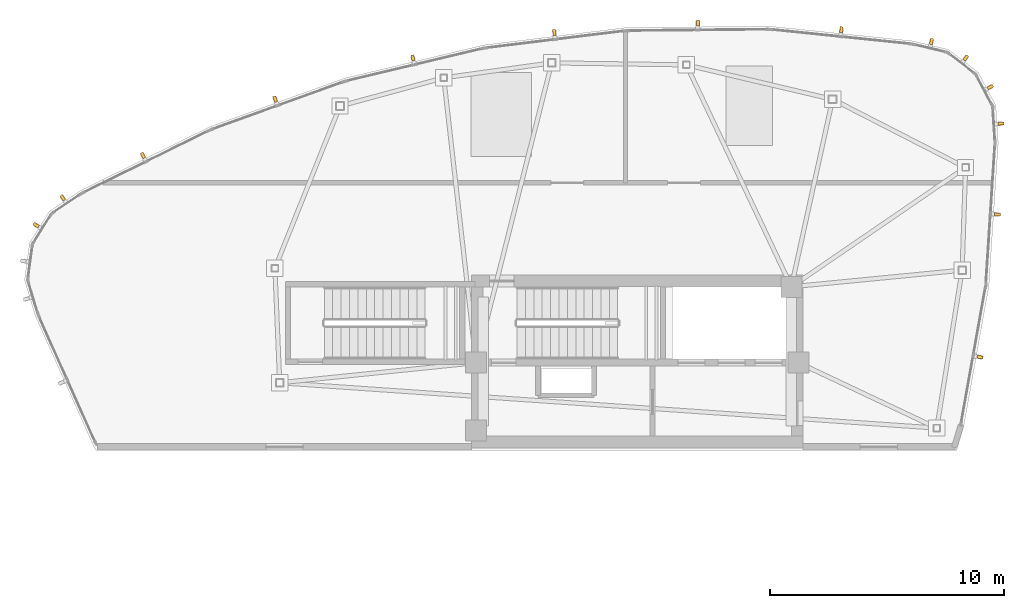
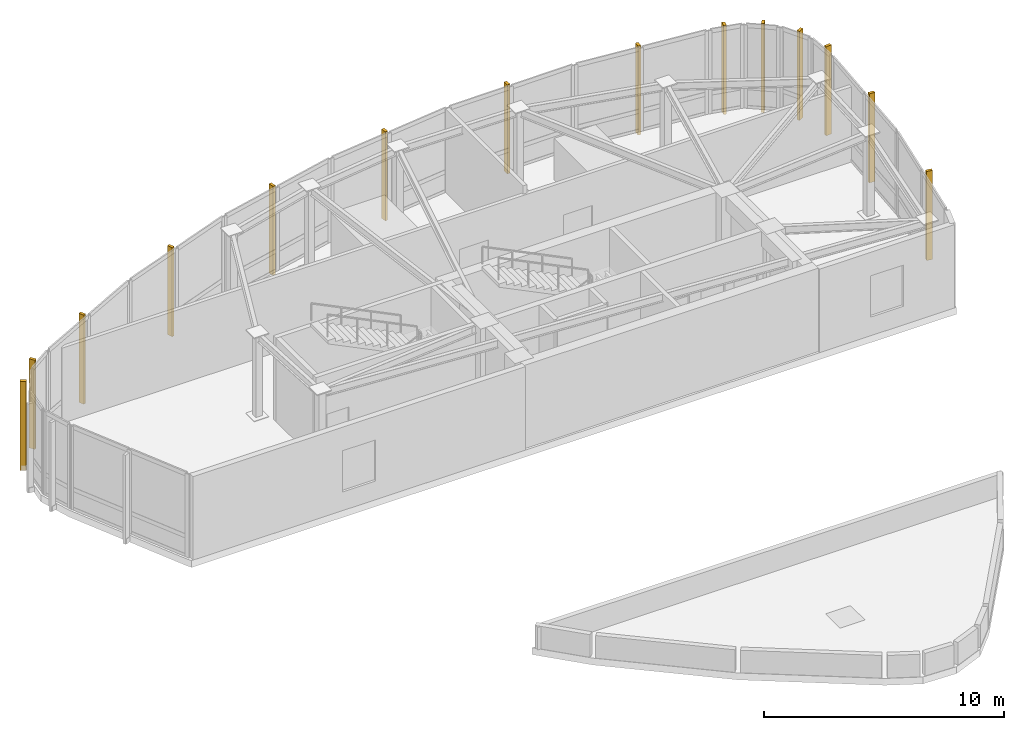
# One storey, part 10 of 11: 14 shading devices.
"""IFC4 building model written with IfcOpenShell, lengths in metres."""

from ifc_helpers import new_model, si_unit, direction, frame, origin, origin_2d, place, context, subcontext, project, spatial, rectangle, extrude, source, transform, mapped, material, type_object, type_shapes, element, save


model = new_model("IFC4")

# Units and contexts
model_context = context("Model", 3, precision=1e-05, world=origin(), true_north=direction((0.0, 1.0)))
body_context = subcontext(model_context, "Body", "Model", "MODEL_VIEW")
ifc_project = project(units=[si_unit("LENGTHUNIT", "METRE"), si_unit("AREAUNIT", "SQUARE_METRE"), si_unit("VOLUMEUNIT", "CUBIC_METRE"), si_unit("PLANEANGLEUNIT", "RADIAN"), si_unit("MASSUNIT", "GRAM", prefix="KILO")], contexts=[model_context])

# Site, building, storey
site_placement = place(None, origin())
site = spatial("IfcSite", under=ifc_project, at=site_placement, CompositionType="ELEMENT")
building_placement = place(site_placement, origin())
building = spatial("IfcBuilding", under=site, at=building_placement, Name="Tavelor Broadcast Tower", CompositionType="ELEMENT")
storey_placement = place(building_placement, frame((0.0, 0.0, 345.89990234375)))
storey = spatial("IfcBuildingStorey", under=building, at=storey_placement, Name="L82", CompositionType="ELEMENT", Elevation=345.89990234375)

# Shading devices
ifc_material = material(Name="Kiln-Fired Glazed Terracotta", Category="masonry")
shading_device_type = type_object("IfcShadingDeviceType", Name="Extruded Terracotta Corner Baguette 130x260", PredefinedType="JALOUSIE", material=ifc_material)
shared_shape = source(origin(), body_context, "Body", "SweptSolid", [
    extrude(rectangle(XDim=0.1298828125, YDim=0.260009765625, at=origin_2d()), origin(), (0.0, 0.0, 1.0), 4.5400390625),
])
type_shapes(shading_device_type, [shared_shape])
for number, where, z_axis, x_axis, name in (
    (1, (64.6796875, 48.189208984375, -0.309814453125), (0.0, 0.0, 1.0), (0.176225800308, 0.984349768784, 0.0), "L82 Terracotta Baguette Fin 823"),
    (2, (65.423095703125, 54.29833984375, -0.309814453125), (0.0, 0.0, 1.0), (0.064880642578, 0.997893031451, 0.0), "L82 Terracotta Baguette Fin 824"),
    (3, (65.570068359375, 58.184326171875, -0.309814453125), (0.0, 0.0, 1.0), (-0.06540312923, 0.997858923239, 0.0), "L82 Terracotta Baguette Fin 825"),
    (4, (65.122802734375, 59.75390625, -0.309814453125), (0.0, 0.0, 1.0), (-0.470241901057, 0.882537565484, 0.0), "L82 Terracotta Baguette Fin 826"),
    (5, (64.069580078125, 61.000244140625, -0.309814453125), (0.0, 0.0, 1.0), (-0.79175688964, 0.610836334633, 0.0), "L82 Terracotta Baguette Fin 827"),
    (6, (62.596435546875, 61.702880859375, -0.309814453125), (0.0, 0.0, 1.0), (-0.972977745976, 0.230898908261, 0.0), "L82 Terracotta Baguette Fin 828"),
    (7, (58.740478515625, 62.205810546875, -0.309814453125), (0.0, 0.0, 1.0), (-0.99473863788, 0.102445313747, 0.0), "L82 Terracotta Baguette Fin 829"),
    (8, (52.593017578125, 62.491943359375, -0.309814453125), (0.0, 0.0, 1.0), (-0.999953926969, -0.009599163462, 0.0), "L82 Terracotta Baguette Fin 830"),
    (9, (46.451904296875, 62.087646484375, -0.309814453125), (0.0, 0.0, 1.0), (-0.992588631597, -0.121522872021, 0.0), "L82 Terracotta Baguette Fin 831"),
    (10, (40.39501953125, 60.997802734375, -0.309814453125), (0.0, 0.0, 1.0), (-0.972694923667, -0.232087452208, 0.0), "L82 Terracotta Baguette Fin 832"),
    (11, (34.498291015625, 59.236083984375, -0.309814453125), (0.0, 0.0, 1.0), (-0.94058480613, -0.339558864524, 0.0), "L82 Terracotta Baguette Fin 833"),
    (12, (28.8359375, 56.8251953125, -0.309814453125), (0.0, 0.0, 1.0), (-0.896641036785, -0.442758231039, 0.0), "L82 Terracotta Baguette Fin 834"),
    (13, (25.397216796875, 55.009521484375, -0.309814453125), (0.0, 0.0, 1.0), (-0.831469612303, -0.55557023302, 0.0), "L82 Terracotta Baguette Fin 835"),
    (14, (24.261474609375, 53.837646484375, -0.309814453125), (0.0, 0.0, 1.0), (-0.529179000974, -0.848510214982, 0.0), "L82 Terracotta Baguette Fin 836"),
):
    element("IfcShadingDevice", number, at=place(storey_placement, frame(where, z_axis=z_axis, x_axis=x_axis)), inside=storey, type_object=shading_device_type, Name=name, PredefinedType="JALOUSIE", context=body_context, shape_type="MappedRepresentation", body=[
        mapped(shared_shape, transform((0.0, 0.0, 0.0), scale=1.0)),
    ])

save(model, "model.ifc")
